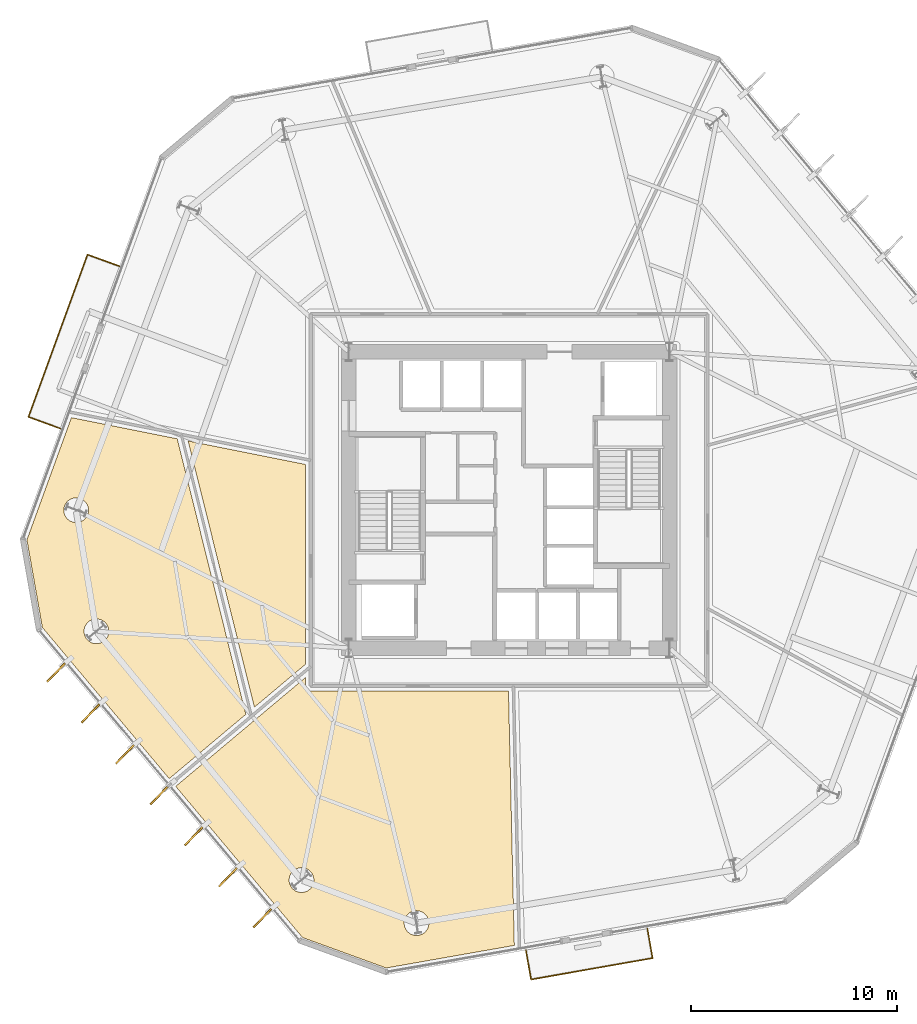
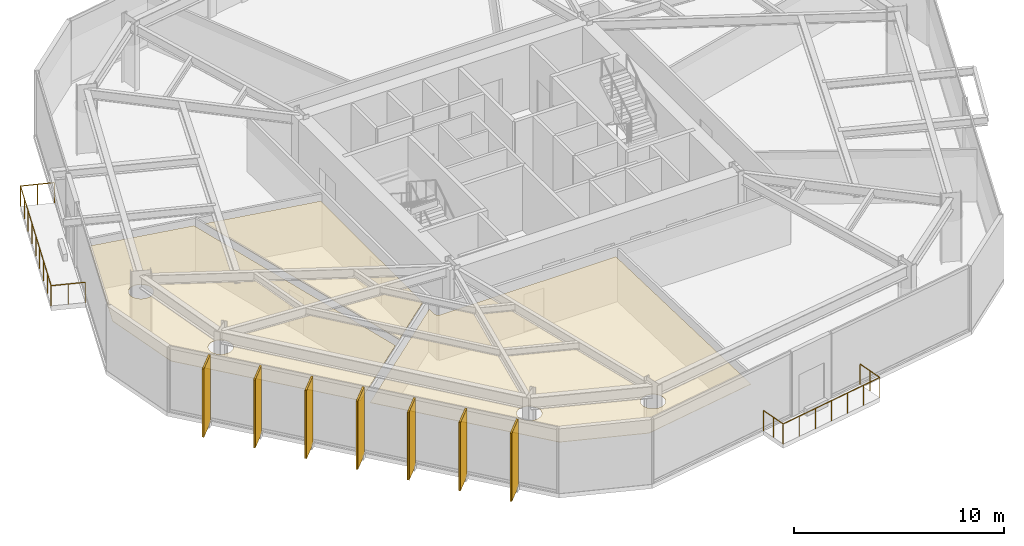
# One storey, part 8 of 10: 10 coverings, 7 shading devices, 2 railings.
"""IFC4 building model written with IfcOpenShell, lengths in metres."""

from ifc_helpers import new_model, si_unit, direction, frame, origin, origin_2d, place, context, subcontext, project, spatial, polyline, rectangle, circle, outline, extrude, material, layer, layer_set, type_object, element, save


model = new_model("IFC4")

# Units and contexts
model_context = context("Model", 3, precision=1e-05, world=origin(), true_north=direction((0.0, 1.0)))
body_context = subcontext(model_context, "Body", "Model", "MODEL_VIEW")
ifc_project = project(units=[si_unit("LENGTHUNIT", "METRE"), si_unit("AREAUNIT", "SQUARE_METRE"), si_unit("VOLUMEUNIT", "CUBIC_METRE"), si_unit("PLANEANGLEUNIT", "RADIAN"), si_unit("MASSUNIT", "GRAM", prefix="KILO")], contexts=[model_context])

# Site, building, storey
site_placement = place(None, origin())
site = spatial("IfcSite", under=ifc_project, at=site_placement, CompositionType="ELEMENT")
building_placement = place(site_placement, origin())
building = spatial("IfcBuilding", under=site, at=building_placement, Name="Kranzbogen Civic Tower", CompositionType="ELEMENT")
storey_placement = place(building_placement, frame((0.0, 0.0, 60.0)))
storey = spatial("IfcBuildingStorey", under=building, at=storey_placement, Name="L14", CompositionType="ELEMENT", Elevation=60.0)

# Coverings
ifc_material_1 = material(Name="Pale Anodised Aluminium", Category="aluminium")
ifc_layer_1 = layer(ifc_material_1, 0.02490234375, Name="Pale Anodised Aluminium")
ifc_layer_set_1 = layer_set([ifc_layer_1], Name="Pale Anodised Aluminium")
covering_type_1 = type_object("IfcCoveringType", Name="Anodised Aluminium Vertical Fin Cladding 25 mm", PredefinedType="CLADDING", material=ifc_layer_set_1)
for number, where, z_axis, x_axis, name in (
    (1, (2.967041015625, 16.610107421875, -0.139892578125), (0.0, 0.0, 1.0), (-0.695687156224, -0.718344889774, 0.0), "L14 vertical fin pale-metal cladding F4-1"),
    (2, (4.637939453125, 14.617919921875, -0.139892578125), (0.0, 0.0, 1.0), (-0.695687156224, -0.718344889774, 0.0), "L14 vertical fin pale-metal cladding F4-2"),
    (3, (6.30908203125, 12.6259765625, -0.139892578125), (0.0, 0.0, 1.0), (-0.695687156224, -0.718344889774, 0.0), "L14 vertical fin pale-metal cladding F4-3"),
    (4, (7.97998046875, 10.635009765625, -0.139892578125), (0.0, 0.0, 1.0), (-0.695687156224, -0.718344889774, 0.0), "L14 vertical fin pale-metal cladding F4-4"),
    (5, (9.652099609375, 8.64306640625, -0.139892578125), (0.0, 0.0, 1.0), (-0.695687156224, -0.718344889774, 0.0), "L14 vertical fin pale-metal cladding F4-5"),
    (6, (11.322998046875, 6.65087890625, -0.139892578125), (0.0, 0.0, 1.0), (-0.695687156224, -0.718344889774, 0.0), "L14 vertical fin pale-metal cladding F4-6"),
    (7, (12.993896484375, 4.658935546875, -0.139892578125), (0.0, 0.0, 1.0), (-0.695687156224, -0.718344889774, 0.0), "L14 vertical fin pale-metal cladding F4-7"),
):
    element("IfcCovering", number, at=place(storey_placement, frame(where, z_axis=z_axis, x_axis=x_axis)), inside=storey, type_object=covering_type_1, Name=name, PredefinedType="CLADDING", context=body_context, shape_type="SweptSolid", body=[
        extrude(rectangle(XDim=1.25, YDim=0.10009765625, at=origin_2d()), origin(), (0.0, 0.0, 1.0), 3.9599609375),
    ])

# Shading devices
ifc_material_2 = material(Name="Anodised Bronze Aluminium", Category="aluminium")
shading_device_type = type_object("IfcShadingDeviceType", Name="Anodised Bronze Vertical Facade Fin 1250x80", PredefinedType="USERDEFINED", material=ifc_material_2)
for number, where, z_axis, x_axis, name in (
    (8, (2.967041015625, 16.610107421875, -0.139892578125), (0.0, 0.0, 1.0), (-0.695687156224, -0.718344889774, 0.0), "L14 vertical exterior shading fin F4-1"),
    (9, (4.637939453125, 14.617919921875, -0.139892578125), (0.0, 0.0, 1.0), (-0.695687156224, -0.718344889774, 0.0), "L14 vertical exterior shading fin F4-2"),
    (10, (6.30908203125, 12.6259765625, -0.139892578125), (0.0, 0.0, 1.0), (-0.695687156224, -0.718344889774, 0.0), "L14 vertical exterior shading fin F4-3"),
    (11, (7.97998046875, 10.635009765625, -0.139892578125), (0.0, 0.0, 1.0), (-0.695687156224, -0.718344889774, 0.0), "L14 vertical exterior shading fin F4-4"),
    (12, (9.652099609375, 8.64306640625, -0.139892578125), (0.0, 0.0, 1.0), (-0.695687156224, -0.718344889774, 0.0), "L14 vertical exterior shading fin F4-5"),
    (13, (11.322998046875, 6.65087890625, -0.139892578125), (0.0, 0.0, 1.0), (-0.695687156224, -0.718344889774, 0.0), "L14 vertical exterior shading fin F4-6"),
    (14, (12.993896484375, 4.658935546875, -0.139892578125), (0.0, 0.0, 1.0), (-0.695687156224, -0.718344889774, 0.0), "L14 vertical exterior shading fin F4-7"),
):
    element("IfcShadingDevice", number, at=place(storey_placement, frame(where, z_axis=z_axis, x_axis=x_axis)), inside=storey, type_object=shading_device_type, Name=name, ObjectType="FIN", PredefinedType="USERDEFINED", context=body_context, shape_type="SweptSolid", body=[
        extrude(rectangle(XDim=1.25, YDim=0.080078125, at=origin_2d()), origin(), (0.0, 0.0, 1.0), 3.9599609375),
    ])

# Railings
railing_type = type_object("IfcRailingType", Name="Cantilevered Balcony Glass and Bronze Balustrade 1200", PredefinedType="BALUSTRADE", material=ifc_material_2)
railing_1_placement = place(storey_placement, frame((25.81396484375, 3.10888671875, 0.0)))
element("IfcRailing", 15, at=railing_1_placement, inside=storey, type_object=railing_type, Name="L14 exterior terrace balustrade L14-TB1", PredefinedType="BALUSTRADE", context=body_context, shape_type="SweptSolid", body=[
    extrude(circle(Radius=0.02392578125, at=origin_2d()), frame((0.0, 0.0, 1.17578125), z_axis=(0.173756519054, -0.984788643358, 0.0), x_axis=(0.984788643358, 0.173756519054, 0.0)), (0.0, 0.0, 1.0), 1.449951171875),
    extrude(circle(Radius=0.02392578125, at=origin_2d()), frame((0.251953125, -1.427978515625, 1.17578125), z_axis=(0.984806488304, 0.173655350028, 0.0), x_axis=(-0.173655350028, 0.984806488304, 0.0)), (0.0, 0.0, 1.0), 6.000244140625),
    extrude(circle(Radius=0.02392578125, at=origin_2d()), frame((6.1611328125, -0.385986328125, 1.17578125), z_axis=(-0.173919797331, 0.984759820513, 0.0), x_axis=(-0.984759820513, -0.173919797331, 0.0)), (0.0, 0.0, 1.0), 1.4501953125),
    extrude(circle(Radius=0.02099609375, at=origin_2d()), origin(), (0.0, 0.0, 1.0), 1.15185546875),
    extrude(circle(Radius=0.02099609375, at=origin_2d()), frame((0.1259765625, -0.7138671875, 0.0)), (0.0, 0.0, 1.0), 1.15185546875),
    extrude(circle(Radius=0.02099609375, at=origin_2d()), frame((0.251953125, -1.427978515625, 0.0)), (0.0, 0.0, 1.0), 1.15185546875),
    extrude(circle(Radius=0.02099609375, at=origin_2d()), frame((1.23681640625, -1.25439453125, 0.0)), (0.0, 0.0, 1.0), 1.15185546875),
    extrude(circle(Radius=0.02099609375, at=origin_2d()), frame((2.2216796875, -1.08056640625, 0.0)), (0.0, 0.0, 1.0), 1.15185546875),
    extrude(circle(Radius=0.02099609375, at=origin_2d()), frame((3.20654296875, -0.906982421875, 0.0)), (0.0, 0.0, 1.0), 1.15185546875),
    extrude(circle(Radius=0.02099609375, at=origin_2d()), frame((4.19140625, -0.7333984375, 0.0)), (0.0, 0.0, 1.0), 1.15185546875),
    extrude(circle(Radius=0.02099609375, at=origin_2d()), frame((5.17626953125, -0.5595703125, 0.0)), (0.0, 0.0, 1.0), 1.15185546875),
    extrude(circle(Radius=0.02099609375, at=origin_2d()), frame((6.1611328125, -0.385986328125, 0.0)), (0.0, 0.0, 1.0), 1.15185546875),
    extrude(circle(Radius=0.02099609375, at=origin_2d()), frame((6.03515625, 0.328125, 0.0)), (0.0, 0.0, 1.0), 1.15185546875),
    extrude(circle(Radius=0.02099609375, at=origin_2d()), frame((5.908935546875, 1.0419921875, 0.0)), (0.0, 0.0, 1.0), 1.15185546875),
])
railing_2_placement = place(storey_placement, frame((6.044921875, 36.368896484375, 0.0)))
element("IfcRailing", 16, at=railing_2_placement, inside=storey, type_object=railing_type, Name="L14 exterior terrace balustrade L14-ST", PredefinedType="BALUSTRADE", context=body_context, shape_type="SweptSolid", body=[
    extrude(circle(Radius=0.02392578125, at=origin_2d()), frame((0.0, 0.0, 1.17578125), z_axis=(-0.939668024537, 0.342087713406, 0.0), x_axis=(-0.342087713406, -0.939668024537, 0.0)), (0.0, 0.0, 1.0), 1.6494140625),
    extrude(circle(Radius=0.02392578125, at=origin_2d()), frame((-1.5498046875, 0.564208984375, 1.17578125), z_axis=(-0.342004397867, -0.939698351515, 0.0), x_axis=(0.939698351515, -0.342004397867, 0.0)), (0.0, 0.0, 1.0), 8.400634765625),
    extrude(circle(Radius=0.02392578125, at=origin_2d()), frame((-4.4228515625, -7.329833984375, 1.17578125), z_axis=(0.939732907201, -0.341909437019, 0.0), x_axis=(0.341909437019, 0.939732907201, 0.0)), (0.0, 0.0, 1.0), 1.6494140625),
    extrude(circle(Radius=0.02099609375, at=origin_2d()), origin(), (0.0, 0.0, 1.0), 1.15185546875),
    extrude(circle(Radius=0.02099609375, at=origin_2d()), frame((-0.77490234375, 0.2822265625, 0.0)), (0.0, 0.0, 1.0), 1.15185546875),
    extrude(circle(Radius=0.02099609375, at=origin_2d()), frame((-1.5498046875, 0.564208984375, 0.0)), (0.0, 0.0, 1.0), 1.15185546875),
    extrude(circle(Radius=0.02099609375, at=origin_2d()), frame((-1.908935546875, -0.422607421875, 0.0)), (0.0, 0.0, 1.0), 1.15185546875),
    extrude(circle(Radius=0.02099609375, at=origin_2d()), frame((-2.26806640625, -1.4091796875, 0.0)), (0.0, 0.0, 1.0), 1.15185546875),
    extrude(circle(Radius=0.02099609375, at=origin_2d()), frame((-2.627197265625, -2.39599609375, 0.0)), (0.0, 0.0, 1.0), 1.15185546875),
    extrude(circle(Radius=0.02099609375, at=origin_2d()), frame((-2.986328125, -3.3828125, 0.0)), (0.0, 0.0, 1.0), 1.15185546875),
    extrude(circle(Radius=0.02099609375, at=origin_2d()), frame((-3.345458984375, -4.36962890625, 0.0)), (0.0, 0.0, 1.0), 1.15185546875),
    extrude(circle(Radius=0.02099609375, at=origin_2d()), frame((-3.70458984375, -5.3564453125, 0.0)), (0.0, 0.0, 1.0), 1.15185546875),
    extrude(circle(Radius=0.02099609375, at=origin_2d()), frame((-4.063720703125, -6.343017578125, 0.0)), (0.0, 0.0, 1.0), 1.15185546875),
    extrude(circle(Radius=0.02099609375, at=origin_2d()), frame((-4.4228515625, -7.329833984375, 0.0)), (0.0, 0.0, 1.0), 1.15185546875),
    extrude(circle(Radius=0.02099609375, at=origin_2d()), frame((-3.64794921875, -7.61181640625, 0.0)), (0.0, 0.0, 1.0), 1.15185546875),
    extrude(circle(Radius=0.02099609375, at=origin_2d()), frame((-2.872802734375, -7.893798828125, 0.0)), (0.0, 0.0, 1.0), 1.15185546875),
])

# Coverings
ifc_material_3 = material(Name="Perforated Acoustic Gypsum Ceiling")
ifc_layer_2 = layer(ifc_material_3, 0.02490234375, Name="Perforated Acoustic Gypsum Ceiling")
ifc_layer_set_2 = layer_set([ifc_layer_2], Name="Perforated Acoustic Gypsum Ceiling")
covering_type_2 = type_object("IfcCoveringType", Name="Perforated Acoustic Mineral Ceiling Tile 25 mm", PredefinedType="CEILING", material=ifc_layer_set_2)
covering_1_placement = place(storey_placement, frame((0.0, 0.0, 2.75)))
element("IfcCovering", 17, at=covering_1_placement, inside=storey, type_object=covering_type_2, Name="L14 Ministerial Policy Office acoustic ceiling", PredefinedType="CEILING", context=body_context, shape_type="SweptSolid", body=[
    extrude(outline(polyline([(15.10498046875, 17.01708984375), (12.611083984375, 14.924072265625), (9.389892578125, 27.8720703125), (15.10498046875, 26.72900390625), (15.10498046875, 17.01708984375)])), origin(), (0.0, 0.0, 1.0), 0.02490234375),
])
covering_2_placement = place(storey_placement, frame((0.0, 0.0, 2.75)))
element("IfcCovering", 18, at=covering_2_placement, inside=storey, type_object=covering_type_2, Name="L14 Directorate Admin Workspace acoustic ceiling", PredefinedType="CEILING", context=body_context, shape_type="SweptSolid", body=[
    extrude(outline(polyline([(3.7119140625, 29.007080078125), (8.85888671875, 27.97802734375), (12.193115234375, 14.572998046875), (8.468017578125, 11.447998046875), (2.299072265625, 18.801025390625), (1.547119140625, 23.06103515625), (3.7119140625, 29.007080078125)]), holes=[polyline([(5.48388671875, 18.384033203125), (5.458984375, 18.330078125), (5.428955078125, 18.280029296875), (5.39306640625, 18.23193359375), (5.35400390625, 18.18798828125), (5.31005859375, 18.14892578125), (5.261962890625, 18.113037109375), (5.2119140625, 18.0830078125), (5.157958984375, 18.05810546875), (5.10302734375, 18.0380859375), (5.044921875, 18.02392578125), (4.987060546875, 18.014892578125), (4.927978515625, 18.011962890625), (4.868896484375, 18.014892578125), (4.81103515625, 18.02392578125), (4.7529296875, 18.0380859375), (4.697998046875, 18.05810546875), (4.64404296875, 18.0830078125), (4.593994140625, 18.113037109375), (4.5458984375, 18.14892578125), (4.501953125, 18.18798828125), (4.462890625, 18.23193359375), (4.427001953125, 18.280029296875), (4.39697265625, 18.330078125), (4.3720703125, 18.384033203125), (4.35205078125, 18.43896484375), (4.337890625, 18.4970703125), (4.3291015625, 18.554931640625), (4.325927734375, 18.614013671875), (4.3291015625, 18.673095703125), (4.337890625, 18.73095703125), (4.35205078125, 18.7890625), (4.3720703125, 18.843994140625), (4.39697265625, 18.89794921875), (4.427001953125, 18.947998046875), (4.462890625, 18.99609375), (4.501953125, 19.0400390625), (4.5458984375, 19.0791015625), (4.593994140625, 19.114990234375), (4.64404296875, 19.14501953125), (4.697998046875, 19.169921875), (4.7529296875, 19.18994140625), (4.81103515625, 19.2041015625), (4.868896484375, 19.212890625), (4.927978515625, 19.216064453125), (4.987060546875, 19.212890625), (5.044921875, 19.2041015625), (5.10302734375, 19.18994140625), (5.157958984375, 19.169921875), (5.2119140625, 19.14501953125), (5.261962890625, 19.114990234375), (5.31005859375, 19.0791015625), (5.35400390625, 19.0400390625), (5.39306640625, 18.99609375), (5.428955078125, 18.947998046875), (5.458984375, 18.89794921875), (5.48388671875, 18.843994140625), (5.50390625, 18.7890625), (5.51806640625, 18.73095703125), (5.527099609375, 18.673095703125), (5.530029296875, 18.614013671875), (5.527099609375, 18.554931640625), (5.51806640625, 18.4970703125), (5.50390625, 18.43896484375), (5.48388671875, 18.384033203125)]), polyline([(4.4990234375, 24.27392578125), (4.47412109375, 24.219970703125), (4.444091796875, 24.169921875), (4.407958984375, 24.1220703125), (4.368896484375, 24.077880859375), (4.324951171875, 24.0390625), (4.277099609375, 24.0029296875), (4.22705078125, 23.972900390625), (4.173095703125, 23.947998046875), (4.117919921875, 23.927978515625), (4.06005859375, 23.9140625), (4.001953125, 23.905029296875), (3.943115234375, 23.902099609375), (3.884033203125, 23.905029296875), (3.825927734375, 23.9140625), (3.76806640625, 23.927978515625), (3.712890625, 23.947998046875), (3.658935546875, 23.972900390625), (3.60888671875, 24.0029296875), (3.56103515625, 24.0390625), (3.51708984375, 24.077880859375), (3.47802734375, 24.1220703125), (3.44189453125, 24.169921875), (3.412109375, 24.219970703125), (3.386962890625, 24.27392578125), (3.366943359375, 24.3291015625), (3.35302734375, 24.386962890625), (3.343994140625, 24.445068359375), (3.341064453125, 24.50390625), (3.343994140625, 24.56298828125), (3.35302734375, 24.62109375), (3.366943359375, 24.678955078125), (3.386962890625, 24.73388671875), (3.412109375, 24.7880859375), (3.44189453125, 24.837890625), (3.47802734375, 24.885986328125), (3.51708984375, 24.929931640625), (3.56103515625, 24.968994140625), (3.60888671875, 25.0048828125), (3.658935546875, 25.034912109375), (3.712890625, 25.06005859375), (3.76806640625, 25.080078125), (3.825927734375, 25.093994140625), (3.884033203125, 25.10302734375), (3.943115234375, 25.10595703125), (4.001953125, 25.10302734375), (4.06005859375, 25.093994140625), (4.117919921875, 25.080078125), (4.173095703125, 25.06005859375), (4.22705078125, 25.034912109375), (4.277099609375, 25.0048828125), (4.324951171875, 24.968994140625), (4.368896484375, 24.929931640625), (4.407958984375, 24.885986328125), (4.444091796875, 24.837890625), (4.47412109375, 24.7880859375), (4.4990234375, 24.73388671875), (4.51904296875, 24.678955078125), (4.532958984375, 24.62109375), (4.5419921875, 24.56298828125), (4.544921875, 24.50390625), (4.5419921875, 24.445068359375), (4.532958984375, 24.386962890625), (4.51904296875, 24.3291015625), (4.4990234375, 24.27392578125)])]), origin(), (0.0, 0.0, 1.0), 0.02490234375),
])
covering_3_placement = place(storey_placement, frame((0.0, 0.0, 2.75)))
element("IfcCovering", 19, at=covering_3_placement, inside=storey, type_object=covering_type_2, Name="L14 Legal Counsel Office acoustic ceiling", PredefinedType="CEILING", context=body_context, shape_type="SweptSolid", body=[
    extrude(outline(polyline([(14.952880859375, 3.719970703125), (8.782958984375, 11.072998046875), (15.10498046875, 16.376953125), (15.10498046875, 15.949951171875), (15.10498046875, 15.94091796875), (15.10595703125, 15.93505859375), (15.10693359375, 15.9169921875), (15.10791015625, 15.910888671875), (15.112060546875, 15.89404296875), (15.113037109375, 15.886962890625), (15.117919921875, 15.8701171875), (15.1201171875, 15.864013671875), (15.126953125, 15.847900390625), (15.1298828125, 15.842041015625), (15.137939453125, 15.826904296875), (15.14208984375, 15.821044921875), (15.15087890625, 15.806884765625), (15.155029296875, 15.802001953125), (15.166015625, 15.7880859375), (15.1708984375, 15.782958984375), (15.18310546875, 15.77099609375), (15.18798828125, 15.76611328125), (15.201904296875, 15.7548828125), (15.20703125, 15.7509765625), (15.220947265625, 15.741943359375), (15.22705078125, 15.738037109375), (15.241943359375, 15.72998046875), (15.248046875, 15.72705078125), (15.263916015625, 15.719970703125), (15.27001953125, 15.718017578125), (15.287109375, 15.712890625), (15.2939453125, 15.7119140625), (15.31103515625, 15.7080078125), (15.31689453125, 15.70703125), (15.3349609375, 15.7060546875), (15.341064453125, 15.705078125), (15.35009765625, 15.705078125), (24.968017578125, 15.705078125), (25.2509765625, 3.339111328125), (19.01806640625, 2.239990234375), (14.952880859375, 3.719970703125)]), holes=[polyline([(21.051025390625, 4.194091796875), (21.02587890625, 4.139892578125), (20.99609375, 4.090087890625), (20.9599609375, 4.0419921875), (20.9208984375, 3.998046875), (20.876953125, 3.958984375), (20.8291015625, 3.923095703125), (20.779052734375, 3.89306640625), (20.72509765625, 3.867919921875), (20.669921875, 3.847900390625), (20.612060546875, 3.833984375), (20.553955078125, 3.824951171875), (20.4951171875, 3.822021484375), (20.43603515625, 3.824951171875), (20.3779296875, 3.833984375), (20.320068359375, 3.847900390625), (20.264892578125, 3.867919921875), (20.2109375, 3.89306640625), (20.160888671875, 3.923095703125), (20.113037109375, 3.958984375), (20.069091796875, 3.998046875), (20.030029296875, 4.0419921875), (19.993896484375, 4.090087890625), (19.964111328125, 4.139892578125), (19.93896484375, 4.194091796875), (19.9189453125, 4.2490234375), (19.905029296875, 4.306884765625), (19.89599609375, 4.364990234375), (19.89306640625, 4.424072265625), (19.89599609375, 4.48291015625), (19.905029296875, 4.541015625), (19.9189453125, 4.59912109375), (19.93896484375, 4.654052734375), (19.964111328125, 4.7080078125), (19.993896484375, 4.758056640625), (20.030029296875, 4.805908203125), (20.069091796875, 4.85009765625), (20.113037109375, 4.888916015625), (20.160888671875, 4.925048828125), (20.2109375, 4.955078125), (20.264892578125, 4.97998046875), (20.320068359375, 5.0), (20.3779296875, 5.013916015625), (20.43603515625, 5.02294921875), (20.4951171875, 5.02587890625), (20.553955078125, 5.02294921875), (20.612060546875, 5.013916015625), (20.669921875, 5.0), (20.72509765625, 4.97998046875), (20.779052734375, 4.955078125), (20.8291015625, 4.925048828125), (20.876953125, 4.888916015625), (20.9208984375, 4.85009765625), (20.9599609375, 4.805908203125), (20.99609375, 4.758056640625), (21.02587890625, 4.7080078125), (21.051025390625, 4.654052734375), (21.071044921875, 4.59912109375), (21.0849609375, 4.541015625), (21.093994140625, 4.48291015625), (21.096923828125, 4.424072265625), (21.093994140625, 4.364990234375), (21.0849609375, 4.306884765625), (21.071044921875, 4.2490234375), (21.051025390625, 4.194091796875)]), polyline([(15.45703125, 6.285888671875), (15.431884765625, 6.23193359375), (15.402099609375, 6.181884765625), (15.365966796875, 6.134033203125), (15.326904296875, 6.090087890625), (15.282958984375, 6.051025390625), (15.235107421875, 6.014892578125), (15.18505859375, 5.985107421875), (15.131103515625, 5.9599609375), (15.075927734375, 5.93994140625), (15.01806640625, 5.926025390625), (14.9599609375, 5.9169921875), (14.90087890625, 5.9140625), (14.842041015625, 5.9169921875), (14.783935546875, 5.926025390625), (14.72607421875, 5.93994140625), (14.6708984375, 5.9599609375), (14.616943359375, 5.985107421875), (14.56689453125, 6.014892578125), (14.51904296875, 6.051025390625), (14.47509765625, 6.090087890625), (14.43603515625, 6.134033203125), (14.39990234375, 6.181884765625), (14.3701171875, 6.23193359375), (14.344970703125, 6.285888671875), (14.324951171875, 6.341064453125), (14.31103515625, 6.39892578125), (14.302001953125, 6.45703125), (14.299072265625, 6.51611328125), (14.302001953125, 6.574951171875), (14.31103515625, 6.633056640625), (14.324951171875, 6.69091796875), (14.344970703125, 6.74609375), (14.3701171875, 6.800048828125), (14.39990234375, 6.85009765625), (14.43603515625, 6.89794921875), (14.47509765625, 6.94189453125), (14.51904296875, 6.98095703125), (14.56689453125, 7.01708984375), (14.616943359375, 7.047119140625), (14.6708984375, 7.072021484375), (14.72607421875, 7.092041015625), (14.783935546875, 7.10595703125), (14.842041015625, 7.114990234375), (14.90087890625, 7.117919921875), (14.9599609375, 7.114990234375), (15.01806640625, 7.10595703125), (15.075927734375, 7.092041015625), (15.131103515625, 7.072021484375), (15.18505859375, 7.047119140625), (15.235107421875, 7.01708984375), (15.282958984375, 6.98095703125), (15.326904296875, 6.94189453125), (15.365966796875, 6.89794921875), (15.402099609375, 6.85009765625), (15.431884765625, 6.800048828125), (15.45703125, 6.74609375), (15.47705078125, 6.69091796875), (15.490966796875, 6.633056640625), (15.5, 6.574951171875), (15.5029296875, 6.51611328125), (15.5, 6.45703125), (15.490966796875, 6.39892578125), (15.47705078125, 6.341064453125), (15.45703125, 6.285888671875)])]), origin(), (0.0, 0.0, 1.0), 0.02490234375),
])

save(model, "model.ifc")
